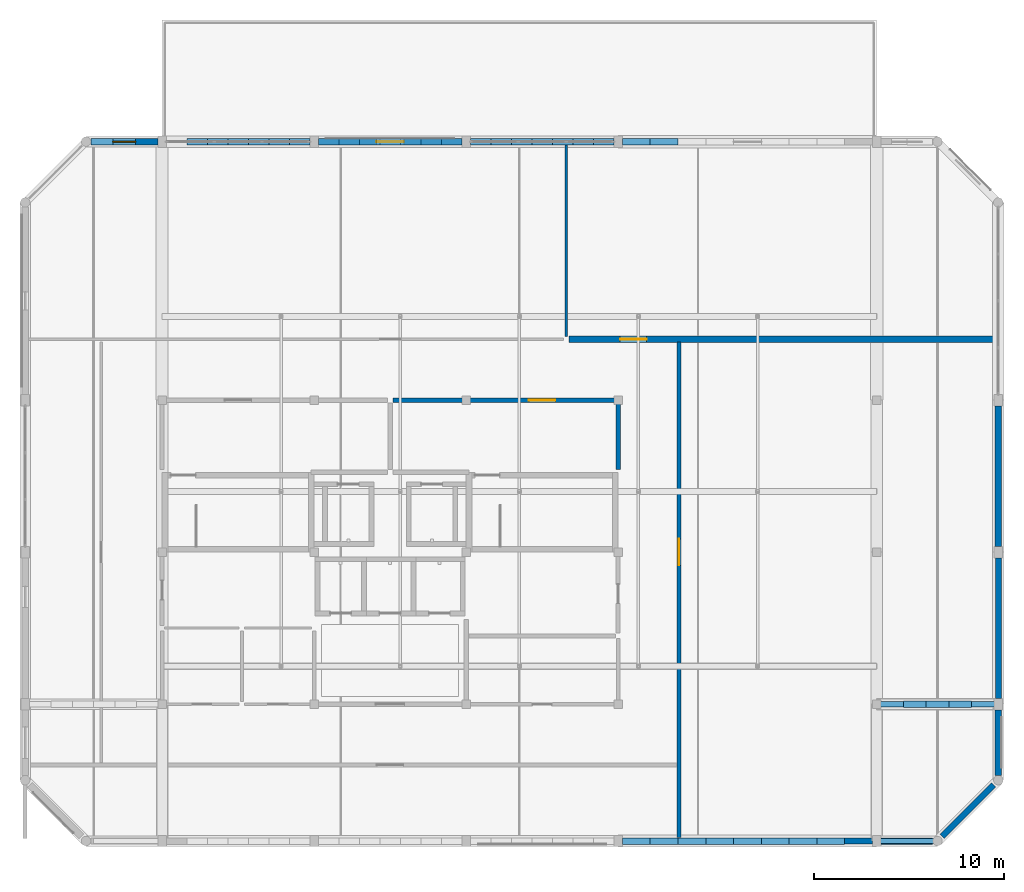
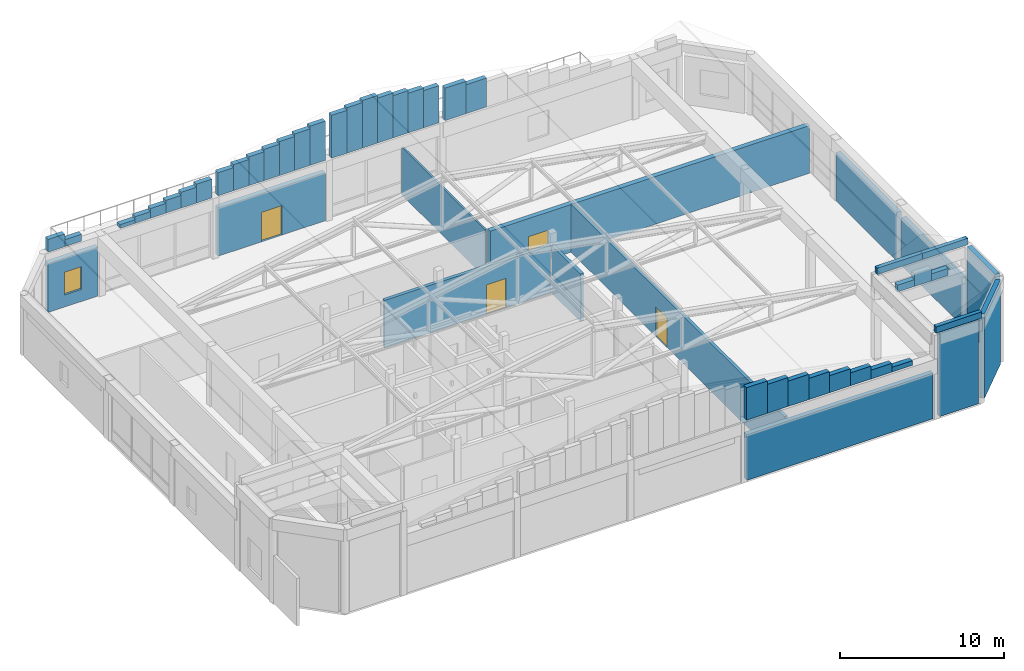
# One storey, part 21 of 24: 51 walls, 4 doors, 1 window, 5 openings.
"""IFC4 building model written with IfcOpenShell, lengths in metres."""

from ifc_helpers import new_model, si_unit, direction, frame, frame_2d, origin, place, context, subcontext, project, spatial, rectangle, extrude, material, layer, layer_set, type_object, element, fill, save


model = new_model("IFC4")

# Units and contexts
model_context = context("Model", 3, precision=1e-05, world=origin(), true_north=direction((0.0, 1.0)))
body_context = subcontext(model_context, "Body", "Model", "MODEL_VIEW")
ifc_project = project(units=[si_unit("LENGTHUNIT", "METRE"), si_unit("AREAUNIT", "SQUARE_METRE"), si_unit("VOLUMEUNIT", "CUBIC_METRE"), si_unit("PLANEANGLEUNIT", "RADIAN"), si_unit("MASSUNIT", "GRAM", prefix="KILO")], contexts=[model_context])

# Site, building, storey
site_placement = place(None, origin())
site = spatial("IfcSite", under=ifc_project, at=site_placement, CompositionType="ELEMENT")
building_placement = place(site_placement, origin())
building = spatial("IfcBuilding", under=site, at=building_placement, Name="Vellmiral Cinema and Media Centre", CompositionType="ELEMENT")
storey_placement = place(building_placement, frame((0.0, 0.0, 66.60009765625)))
storey = spatial("IfcBuildingStorey", under=building, at=storey_placement, Name="L16", CompositionType="ELEMENT", Elevation=66.60009765625)

# Wall, opening, door
ifc_material_1 = material(Name="Calcium-Silicate Masonry Blockwork", Category="masonry")
ifc_layer_1 = layer(ifc_material_1, 0.1201171875, Name="Calcium-Silicate Masonry Blockwork", Category="masonry")
ifc_material_2 = material(Name="Mineral Wool Acoustic Insulation", Category="insulation")
ifc_layer_2 = layer(ifc_material_2, 0.090087890625, Name="Mineral Wool Acoustic Insulation", Category="insulation")
ifc_layer_3 = layer(ifc_material_1, 0.1201171875, Name="Calcium-Silicate Masonry Blockwork", Category="masonry")
ifc_layer_set_1 = layer_set([ifc_layer_1, ifc_layer_2, ifc_layer_3], Name="Calcium-Silicate Masonry Blockwork")
wall_type_1 = type_object("IfcWallType", Name="WL-AC-330", PredefinedType="SOLIDWALL", material=ifc_layer_set_1)
wall_1_placement = place(storey_placement, frame((145.39990234375, 98.39990234375, 0.0), z_axis=(0.0, 0.0, 1.0), x_axis=(1.0, 0.0, 0.0)))
wall_1 = element("IfcWall", 1, at=wall_1_placement, inside=storey, type_object=wall_type_1, Name="Crown Executive Screening Salon Wall S", PredefinedType="SOLIDWALL", context=body_context, shape_type="SweptSolid", body=[
    extrude(rectangle(XDim=22.510009765625, YDim=0.330078125, at=frame_2d((11.2548828125, 0.0))), origin(), (0.0, 0.0, 1.0), 3.5498046875),
])
opening_1_placement = place(wall_1_placement, frame((2.699951171875, 0.0, 0.0)))
opening_1 = element("IfcOpeningElement", 2, at=opening_1_placement, cuts=wall_1, Name="Opening D-AC4", PredefinedType="OPENING", context=body_context, shape_type="SweptSolid", body=[
    extrude(rectangle(XDim=1.39990234375, YDim=2.199951171875, at=frame_2d((0.699951171875, 1.10009765625))), frame((0.0, 0.177001953125, 0.0), z_axis=(0.0, -1.0, 0.0), x_axis=(1.0, 0.0, 0.0)), (0.0, 0.0, 1.0), 0.35400390625),
])
ifc_material_3 = material(Name="Acoustic Studio Door", Category="steel")
door_type_1 = type_object("IfcDoorType", Name="DR-AC-1400x2200", OperationType="NOTDEFINED", PredefinedType="DOOR", material=ifc_material_3)
door_1_placement = place(opening_1_placement, frame((1.39990234375, 0.0, 0.0), z_axis=(0.0, 0.0, 1.0), x_axis=(-1.0, 0.0, 0.0)))
door_1 = element("IfcDoor", 3, at=door_1_placement, inside=storey, type_object=door_type_1, Name="Crown Executive Screening Salon Door", OperationType="SINGLE_SWING_RIGHT", OverallHeight=2.199951171875, OverallWidth=1.39990234375, PredefinedType="DOOR", context=body_context, shape_type="SweptSolid", body=[
    extrude(rectangle(XDim=1.39990234375, YDim=2.199951171875, at=frame_2d((0.699951171875, 1.10009765625))), frame((0.0, 0.02490234375, 0.0), z_axis=(0.0, -1.0, 0.0), x_axis=(1.0, 0.0, 0.0)), (0.0, 0.0, 1.0), 0.050048828125),
])
fill(opening_1, door_1)

ifc_material_4 = material(Name="Concrete C40/50", Category="concrete")
ifc_layer_4 = layer(ifc_material_4, 0.2099609375, Name="Concrete C40/50")
ifc_layer_set_2 = layer_set([ifc_layer_4], Name="Concrete C40/50")
wall_type_2 = type_object("IfcWallType", Name="WL-COMP-210", PredefinedType="SOLIDWALL", material=ifc_layer_set_2)
wall_2_placement = place(storey_placement, frame((151.199951171875, 72.175048828125, 0.0), z_axis=(0.0, 0.0, 1.0), x_axis=(0.0, 1.0, 0.0)))
wall_2 = element("IfcWall", 4, at=wall_2_placement, inside=storey, type_object=wall_type_2, Name="Crown Chiller and Heat-Recovery Plant Room Wall W", PredefinedType="SOLIDWALL", context=body_context, shape_type="SweptSolid", body=[
    extrude(rectangle(XDim=26.0849609375, YDim=0.2099609375, at=frame_2d((13.04248046875, 0.0))), origin(), (0.0, 0.0, 1.0), 3.5498046875),
])
opening_2_placement = place(wall_2_placement, frame((14.324951171875, 0.0, 0.0)))
opening_2 = element("IfcOpeningElement", 5, at=opening_2_placement, cuts=wall_2, Name="Opening D-FD60B", PredefinedType="OPENING", context=body_context, shape_type="SweptSolid", body=[
    extrude(rectangle(XDim=1.39990234375, YDim=2.199951171875, at=frame_2d((0.699951171875, 1.10009765625))), frame((0.0, 0.116943359375, 0.0), z_axis=(0.0, -1.0, 0.0), x_axis=(1.0, 0.0, 0.0)), (0.0, 0.0, 1.0), 0.23388671875),
])
ifc_material_5 = material(Name="Steel Fire Door", Category="steel")
door_type_2 = type_object("IfcDoorType", Name="DR-FD60-1400x2200", OperationType="NOTDEFINED", PredefinedType="DOOR", material=ifc_material_5)
door_2_placement = place(opening_2_placement, frame((1.39990234375, 0.0, 0.0), z_axis=(0.0, 0.0, 1.0), x_axis=(-1.0, 0.0, 0.0)))
door_2 = element("IfcDoor", 6, at=door_2_placement, inside=storey, type_object=door_type_2, Name="Crown Chiller and Heat-Recovery Plant Room Door", OperationType="SINGLE_SWING_LEFT", OverallHeight=2.199951171875, OverallWidth=1.39990234375, PredefinedType="DOOR", context=body_context, shape_type="SweptSolid", body=[
    extrude(rectangle(XDim=1.39990234375, YDim=2.199951171875, at=frame_2d((0.699951171875, 1.10009765625))), frame((0.0, 0.02490234375, 0.0), z_axis=(0.0, -1.0, 0.0), x_axis=(1.0, 0.0, 0.0)), (0.0, 0.0, 1.0), 0.050048828125),
])
fill(opening_2, door_2)

# Walls
ifc_material_6 = material(Name="Polychrome Glazed Ceramic Cladding", Category="masonry")
ifc_layer_5 = layer(ifc_material_6, 0.320068359375, Name="Polychrome Glazed Ceramic Cladding")
ifc_layer_set_3 = layer_set([ifc_layer_5], Name="Polychrome Glazed Ceramic Cladding")
wall_type_3 = type_object("IfcWallType", Name="WL-EXT-BRICK-320", PredefinedType="SOLIDWALL", material=ifc_layer_set_3)
wall_3_placement = place(storey_placement, frame((148.22509765625, 72.0, 0.0), z_axis=(0.0, 0.0, 1.0), x_axis=(1.0, 0.0, 0.0)))
element("IfcWall", 7, at=wall_3_placement, inside=storey, type_object=wall_type_3, Name="Exterior Facade Wall L16-005", PredefinedType="SOLIDWALL", context=body_context, shape_type="SweptSolid", body=[
    extrude(rectangle(XDim=13.14990234375, YDim=0.320068359375, at=frame_2d((6.574951171875, 0.0))), origin(), (0.0, 0.0, 1.0), 3.39990234375),
])
wall_4_placement = place(storey_placement, frame((165.050048828125, 72.25, 0.0), z_axis=(0.0, 0.0, 1.0), x_axis=(0.707106781187, 0.707106781187, 0.0)))
element("IfcWall", 8, at=wall_4_placement, inside=storey, type_object=wall_type_3, Name="Exterior Facade Wall L16-007", PredefinedType="SOLIDWALL", context=body_context, shape_type="SweptSolid", body=[
    extrude(rectangle(XDim=3.818359375, YDim=0.320068359375, at=frame_2d((1.9091796875, 0.0))), origin(), (0.0, 0.0, 1.0), 6.27978515625),
])
wall_5_placement = place(storey_placement, frame((168.0, 79.5, 0.0), z_axis=(0.0, 0.0, 1.0), x_axis=(0.0, 1.0, 0.0)))
element("IfcWall", 9, at=wall_5_placement, inside=storey, type_object=wall_type_3, Name="Exterior Facade Wall L16-009", PredefinedType="SOLIDWALL", context=body_context, shape_type="SweptSolid", body=[
    extrude(rectangle(XDim=7.39990234375, YDim=0.320068359375, at=frame_2d((3.699951171875, 0.0))), origin(), (0.0, 0.0, 1.0), 3.599853515625),
])
ifc_material_7 = material(Name="Vosges Red Sandstone Masonry", Category="masonry")
ifc_layer_6 = layer(ifc_material_7, 0.340087890625, Name="Vosges Red Sandstone Masonry")
ifc_layer_set_4 = layer_set([ifc_layer_6], Name="Vosges Red Sandstone Masonry")
wall_type_4 = type_object("IfcWallType", Name="WL-EXT-SAND-340", PredefinedType="SOLIDWALL", material=ifc_layer_set_4)
wall_6_placement = place(storey_placement, frame((161.824951171875, 72.0, 0.0), z_axis=(0.0, 0.0, 1.0), x_axis=(1.0, 0.0, 0.0)))
element("IfcWall", 10, at=wall_6_placement, inside=storey, type_object=wall_type_4, Name="Exterior Facade Wall L16-006", PredefinedType="SOLIDWALL", context=body_context, shape_type="SweptSolid", body=[
    extrude(rectangle(XDim=2.72509765625, YDim=0.340087890625, at=frame_2d((1.362548828125, 0.0))), origin(), (0.0, 0.0, 1.0), 6.27978515625),
])
wall_7_placement = place(storey_placement, frame((168.0, 75.449951171875, 0.0), z_axis=(0.0, 0.0, 1.0), x_axis=(0.0, 1.0, 0.0)))
element("IfcWall", 11, at=wall_7_placement, inside=storey, type_object=wall_type_4, Name="Exterior Facade Wall L16-008", PredefinedType="SOLIDWALL", context=body_context, shape_type="SweptSolid", body=[
    extrude(rectangle(XDim=3.449951171875, YDim=0.340087890625, at=frame_2d((1.72509765625, 0.0))), origin(), (0.0, 0.0, 1.0), 6.27978515625),
])
wall_8_placement = place(storey_placement, frame((168.0, 87.5, 0.0), z_axis=(0.0, 0.0, 1.0), x_axis=(0.0, 1.0, 0.0)))
element("IfcWall", 12, at=wall_8_placement, inside=storey, type_object=wall_type_4, Name="Exterior Facade Wall L16-010", PredefinedType="SOLIDWALL", context=body_context, shape_type="SweptSolid", body=[
    extrude(rectangle(XDim=7.39990234375, YDim=0.340087890625, at=frame_2d((3.699951171875, 0.0))), origin(), (0.0, 0.0, 1.0), 3.599853515625),
])

# Wall, opening, door
wall_9_placement = place(storey_placement, frame((139.77490234375, 108.800048828125, 0.0), z_axis=(0.0, 0.0, 1.0), x_axis=(-1.0, 0.0, 0.0)))
wall_9 = element("IfcWall", 13, at=wall_9_placement, inside=storey, type_object=wall_type_4, Name="Exterior Facade Wall L16-016", PredefinedType="SOLIDWALL", context=body_context, shape_type="SweptSolid", body=[
    extrude(rectangle(XDim=7.5498046875, YDim=0.340087890625, at=frame_2d((3.77490234375, 0.0))), origin(), (0.0, 0.0, 1.0), 3.599853515625),
])
opening_3_placement = place(wall_9_placement, frame((3.050048828125, 0.0, 0.0)))
opening_3 = element("IfcOpeningElement", 14, at=opening_3_placement, cuts=wall_9, Name="Opening DE-05", PredefinedType="OPENING", context=body_context, shape_type="SweptSolid", body=[
    extrude(rectangle(XDim=1.449951171875, YDim=2.199951171875, at=frame_2d((0.72509765625, 1.10009765625))), frame((0.0, 0.18212890625, 0.0), z_axis=(0.0, -1.0, 0.0), x_axis=(1.0, 0.0, 0.0)), (0.0, 0.0, 1.0), 0.364013671875),
])
ifc_material_8 = material(Name="Thermally Broken Glazed Aluminium and Bronze Door", Category="aluminium")
door_type_3 = type_object("IfcDoorType", Name="DR-TER-1450x2200", OperationType="DOUBLE_DOOR_SINGLE_SWING", PredefinedType="DOOR", material=ifc_material_8)
door_3_placement = place(opening_3_placement, frame((1.449951171875, 0.0, 0.0), z_axis=(0.0, 0.0, 1.0), x_axis=(-1.0, 0.0, 0.0)))
door_3 = element("IfcDoor", 15, at=door_3_placement, inside=storey, type_object=door_type_3, Name="Crown Observatory Terrace Door", OperationType="DOUBLE_DOOR_SINGLE_SWING", OverallHeight=2.199951171875, OverallWidth=1.449951171875, PredefinedType="DOOR", context=body_context, shape_type="SweptSolid", body=[
    extrude(rectangle(XDim=1.449951171875, YDim=2.199951171875, at=frame_2d((0.72509765625, 1.10009765625))), frame((0.0, 0.02490234375, 0.0), z_axis=(0.0, -1.0, 0.0), x_axis=(1.0, 0.0, 0.0)), (0.0, 0.0, 1.0), 0.050048828125),
])
fill(opening_3, door_3)

# Wall, opening, window
wall_10_placement = place(storey_placement, frame((123.77490234375, 108.800048828125, 0.0), z_axis=(0.0, 0.0, 1.0), x_axis=(-1.0, 0.0, 0.0)))
wall_10 = element("IfcWall", 16, at=wall_10_placement, inside=storey, type_object=wall_type_4, Name="Exterior Facade Wall L16-018", PredefinedType="SOLIDWALL", context=body_context, shape_type="SweptSolid", body=[
    extrude(rectangle(XDim=3.52490234375, YDim=0.340087890625, at=frame_2d((1.762451171875, 0.0))), origin(), (0.0, 0.0, 1.0), 3.64990234375),
])
opening_4_placement = place(wall_10_placement, frame((1.16259765625, 0.0, 0.89990234375)))
opening_4 = element("IfcOpeningElement", 17, at=opening_4_placement, cuts=wall_10, Name="Opening WN-10", PredefinedType="OPENING", context=body_context, shape_type="SweptSolid", body=[
    extrude(rectangle(XDim=1.199951171875, YDim=1.699951171875, at=frame_2d((0.60009765625, 0.85009765625))), frame((0.0, 0.18212890625, 0.0), z_axis=(0.0, -1.0, 0.0), x_axis=(1.0, 0.0, 0.0)), (0.0, 0.0, 1.0), 0.364013671875),
])
ifc_material_9 = material(Name="Thermally Broken Aluminium Triple Glazing", Category="aluminium")
window_type = type_object("IfcWindowType", Name="WN-1200x1700", PartitioningType="SINGLE_PANEL", PredefinedType="WINDOW", material=ifc_material_9)
window_placement = place(opening_4_placement, origin())
window = element("IfcWindow", 18, at=window_placement, inside=storey, type_object=window_type, Name="Window L16-018", OverallHeight=1.699951171875, OverallWidth=1.199951171875, PartitioningType="SINGLE_PANEL", PredefinedType="WINDOW", context=body_context, shape_type="SweptSolid", body=[
    extrude(rectangle(XDim=1.199951171875, YDim=1.699951171875, at=frame_2d((0.60009765625, 0.85009765625))), frame((0.0, 0.030029296875, 0.0), z_axis=(0.0, -1.0, 0.0), x_axis=(1.0, 0.0, 0.0)), (0.0, 0.0, 1.0), 0.06005859375),
])
fill(opening_4, window)

# Walls
wall_11_placement = place(storey_placement, frame((148.22509765625, 72.0, 4.5), z_axis=(0.0, 0.0, 1.0), x_axis=(1.0, 0.0, 0.0)))
element("IfcWall", 19, at=wall_11_placement, inside=storey, type_object=wall_type_4, Name="Tower Crown Catalan Barrel Vault Gable End Wall S-21", PredefinedType="SOLIDWALL", context=body_context, shape_type="SweptSolid", body=[
    extrude(rectangle(XDim=1.4609375, YDim=0.340087890625, at=frame_2d((0.73046875, 0.0))), origin(), (0.0, 0.0, 1.0), 2.416015625),
])
wall_12_placement = place(storey_placement, frame((149.68603515625, 72.0, 4.5), z_axis=(0.0, 0.0, 1.0), x_axis=(1.0, 0.0, 0.0)))
element("IfcWall", 20, at=wall_12_placement, inside=storey, type_object=wall_type_4, Name="Tower Crown Catalan Barrel Vault Gable End Wall S-22", PredefinedType="SOLIDWALL", context=body_context, shape_type="SweptSolid", body=[
    extrude(rectangle(XDim=1.461181640625, YDim=0.340087890625, at=frame_2d((0.73046875, 0.0))), origin(), (0.0, 0.0, 1.0), 2.153076171875),
])
wall_13_placement = place(storey_placement, frame((151.147216796875, 72.0, 4.5), z_axis=(0.0, 0.0, 1.0), x_axis=(1.0, 0.0, 0.0)))
element("IfcWall", 21, at=wall_13_placement, inside=storey, type_object=wall_type_4, Name="Tower Crown Catalan Barrel Vault Gable End Wall S-23", PredefinedType="SOLIDWALL", context=body_context, shape_type="SweptSolid", body=[
    extrude(rectangle(XDim=1.461181640625, YDim=0.340087890625, at=frame_2d((0.73046875, 0.0))), origin(), (0.0, 0.0, 1.0), 1.87841796875),
])
wall_14_placement = place(storey_placement, frame((152.6083984375, 72.0, 4.5), z_axis=(0.0, 0.0, 1.0), x_axis=(1.0, 0.0, 0.0)))
element("IfcWall", 22, at=wall_14_placement, inside=storey, type_object=wall_type_4, Name="Tower Crown Catalan Barrel Vault Gable End Wall S-24", PredefinedType="SOLIDWALL", context=body_context, shape_type="SweptSolid", body=[
    extrude(rectangle(XDim=1.4609375, YDim=0.340087890625, at=frame_2d((0.73046875, 0.0))), origin(), (0.0, 0.0, 1.0), 1.572998046875),
])
wall_15_placement = place(storey_placement, frame((154.0693359375, 72.0, 4.5), z_axis=(0.0, 0.0, 1.0), x_axis=(1.0, 0.0, 0.0)))
element("IfcWall", 23, at=wall_15_placement, inside=storey, type_object=wall_type_4, Name="Tower Crown Catalan Barrel Vault Gable End Wall S-25", PredefinedType="SOLIDWALL", context=body_context, shape_type="SweptSolid", body=[
    extrude(rectangle(XDim=1.461181640625, YDim=0.340087890625, at=frame_2d((0.73046875, 0.0))), origin(), (0.0, 0.0, 1.0), 1.267822265625),
])
wall_16_placement = place(storey_placement, frame((155.530517578125, 72.0, 4.5), z_axis=(0.0, 0.0, 1.0), x_axis=(1.0, 0.0, 0.0)))
element("IfcWall", 24, at=wall_16_placement, inside=storey, type_object=wall_type_4, Name="Tower Crown Catalan Barrel Vault Gable End Wall S-26", PredefinedType="SOLIDWALL", context=body_context, shape_type="SweptSolid", body=[
    extrude(rectangle(XDim=1.461181640625, YDim=0.340087890625, at=frame_2d((0.73046875, 0.0))), origin(), (0.0, 0.0, 1.0), 0.962646484375),
])
wall_17_placement = place(storey_placement, frame((156.99169921875, 72.0, 4.5), z_axis=(0.0, 0.0, 1.0), x_axis=(1.0, 0.0, 0.0)))
element("IfcWall", 25, at=wall_17_placement, inside=storey, type_object=wall_type_4, Name="Tower Crown Catalan Barrel Vault Gable End Wall S-27", PredefinedType="SOLIDWALL", context=body_context, shape_type="SweptSolid", body=[
    extrude(rectangle(XDim=1.461181640625, YDim=0.340087890625, at=frame_2d((0.73046875, 0.0))), origin(), (0.0, 0.0, 1.0), 0.657470703125),
])
wall_18_placement = place(storey_placement, frame((158.452880859375, 72.0, 4.5), z_axis=(0.0, 0.0, 1.0), x_axis=(1.0, 0.0, 0.0)))
element("IfcWall", 26, at=wall_18_placement, inside=storey, type_object=wall_type_4, Name="Tower Crown Catalan Barrel Vault Gable End Wall S-28", PredefinedType="SOLIDWALL", context=body_context, shape_type="SweptSolid", body=[
    extrude(rectangle(XDim=1.4609375, YDim=0.340087890625, at=frame_2d((0.73046875, 0.0))), origin(), (0.0, 0.0, 1.0), 0.35205078125),
])
wall_19_placement = place(storey_placement, frame((125.3037109375, 108.800048828125, 4.5), z_axis=(0.0, 0.0, 1.0), x_axis=(1.0, 0.0, 0.0)))
element("IfcWall", 27, at=wall_19_placement, inside=storey, type_object=wall_type_4, Name="Tower Crown Catalan Barrel Vault Gable End Wall N-1", PredefinedType="SOLIDWALL", context=body_context, shape_type="SweptSolid", body=[
    extrude(rectangle(XDim=1.078369140625, YDim=0.340087890625, at=frame_2d((0.5390625, 0.0))), origin(), (0.0, 0.0, 1.0), 0.272216796875),
])
wall_20_placement = place(storey_placement, frame((126.382080078125, 108.800048828125, 4.5), z_axis=(0.0, 0.0, 1.0), x_axis=(1.0, 0.0, 0.0)))
element("IfcWall", 28, at=wall_20_placement, inside=storey, type_object=wall_type_4, Name="Tower Crown Catalan Barrel Vault Gable End Wall N-2", PredefinedType="SOLIDWALL", context=body_context, shape_type="SweptSolid", body=[
    extrude(rectangle(XDim=1.07861328125, YDim=0.340087890625, at=frame_2d((0.539306640625, 0.0))), origin(), (0.0, 0.0, 1.0), 0.49755859375),
])
wall_21_placement = place(storey_placement, frame((127.460693359375, 108.800048828125, 4.5), z_axis=(0.0, 0.0, 1.0), x_axis=(1.0, 0.0, 0.0)))
element("IfcWall", 29, at=wall_21_placement, inside=storey, type_object=wall_type_4, Name="Tower Crown Catalan Barrel Vault Gable End Wall N-3", PredefinedType="SOLIDWALL", context=body_context, shape_type="SweptSolid", body=[
    extrude(rectangle(XDim=1.07861328125, YDim=0.340087890625, at=frame_2d((0.539306640625, 0.0))), origin(), (0.0, 0.0, 1.0), 0.722900390625),
])
wall_22_placement = place(storey_placement, frame((128.539306640625, 108.800048828125, 4.5), z_axis=(0.0, 0.0, 1.0), x_axis=(1.0, 0.0, 0.0)))
element("IfcWall", 30, at=wall_22_placement, inside=storey, type_object=wall_type_4, Name="Tower Crown Catalan Barrel Vault Gable End Wall N-4", PredefinedType="SOLIDWALL", context=body_context, shape_type="SweptSolid", body=[
    extrude(rectangle(XDim=1.07861328125, YDim=0.340087890625, at=frame_2d((0.539306640625, 0.0))), origin(), (0.0, 0.0, 1.0), 0.9482421875),
])
wall_23_placement = place(storey_placement, frame((129.617919921875, 108.800048828125, 4.5), z_axis=(0.0, 0.0, 1.0), x_axis=(1.0, 0.0, 0.0)))
element("IfcWall", 31, at=wall_23_placement, inside=storey, type_object=wall_type_4, Name="Tower Crown Catalan Barrel Vault Gable End Wall N-5", PredefinedType="SOLIDWALL", context=body_context, shape_type="SweptSolid", body=[
    extrude(rectangle(XDim=1.078369140625, YDim=0.340087890625, at=frame_2d((0.5390625, 0.0))), origin(), (0.0, 0.0, 1.0), 1.173583984375),
])
wall_24_placement = place(storey_placement, frame((130.6962890625, 108.800048828125, 4.5), z_axis=(0.0, 0.0, 1.0), x_axis=(1.0, 0.0, 0.0)))
element("IfcWall", 32, at=wall_24_placement, inside=storey, type_object=wall_type_4, Name="Tower Crown Catalan Barrel Vault Gable End Wall N-6", PredefinedType="SOLIDWALL", context=body_context, shape_type="SweptSolid", body=[
    extrude(rectangle(XDim=1.07861328125, YDim=0.340087890625, at=frame_2d((0.539306640625, 0.0))), origin(), (0.0, 0.0, 1.0), 1.39892578125),
])
wall_25_placement = place(storey_placement, frame((132.22509765625, 108.800048828125, 4.5), z_axis=(0.0, 0.0, 1.0), x_axis=(1.0, 0.0, 0.0)))
element("IfcWall", 33, at=wall_25_placement, inside=storey, type_object=wall_type_4, Name="Tower Crown Catalan Barrel Vault Gable End Wall N-7", PredefinedType="SOLIDWALL", context=body_context, shape_type="SweptSolid", body=[
    extrude(rectangle(XDim=1.07861328125, YDim=0.340087890625, at=frame_2d((0.539306640625, 0.0))), origin(), (0.0, 0.0, 1.0), 1.71826171875),
])
wall_26_placement = place(storey_placement, frame((133.3037109375, 108.800048828125, 4.5), z_axis=(0.0, 0.0, 1.0), x_axis=(1.0, 0.0, 0.0)))
element("IfcWall", 34, at=wall_26_placement, inside=storey, type_object=wall_type_4, Name="Tower Crown Catalan Barrel Vault Gable End Wall N-8", PredefinedType="SOLIDWALL", context=body_context, shape_type="SweptSolid", body=[
    extrude(rectangle(XDim=1.078369140625, YDim=0.340087890625, at=frame_2d((0.5390625, 0.0))), origin(), (0.0, 0.0, 1.0), 1.943603515625),
])
wall_27_placement = place(storey_placement, frame((134.382080078125, 108.800048828125, 4.5), z_axis=(0.0, 0.0, 1.0), x_axis=(1.0, 0.0, 0.0)))
element("IfcWall", 35, at=wall_27_placement, inside=storey, type_object=wall_type_4, Name="Tower Crown Catalan Barrel Vault Gable End Wall N-9", PredefinedType="SOLIDWALL", context=body_context, shape_type="SweptSolid", body=[
    extrude(rectangle(XDim=1.07861328125, YDim=0.340087890625, at=frame_2d((0.539306640625, 0.0))), origin(), (0.0, 0.0, 1.0), 2.140380859375),
])
wall_28_placement = place(storey_placement, frame((135.460693359375, 108.800048828125, 4.5), z_axis=(0.0, 0.0, 1.0), x_axis=(1.0, 0.0, 0.0)))
element("IfcWall", 36, at=wall_28_placement, inside=storey, type_object=wall_type_4, Name="Tower Crown Catalan Barrel Vault Gable End Wall N-10", PredefinedType="SOLIDWALL", context=body_context, shape_type="SweptSolid", body=[
    extrude(rectangle(XDim=1.07861328125, YDim=0.340087890625, at=frame_2d((0.539306640625, 0.0))), origin(), (0.0, 0.0, 1.0), 2.33447265625),
])
wall_29_placement = place(storey_placement, frame((136.539306640625, 108.800048828125, 4.5), z_axis=(0.0, 0.0, 1.0), x_axis=(1.0, 0.0, 0.0)))
element("IfcWall", 37, at=wall_29_placement, inside=storey, type_object=wall_type_4, Name="Tower Crown Catalan Barrel Vault Gable End Wall N-11", PredefinedType="SOLIDWALL", context=body_context, shape_type="SweptSolid", body=[
    extrude(rectangle(XDim=1.07861328125, YDim=0.340087890625, at=frame_2d((0.539306640625, 0.0))), origin(), (0.0, 0.0, 1.0), 2.528564453125),
])
wall_30_placement = place(storey_placement, frame((137.617919921875, 108.800048828125, 4.5), z_axis=(0.0, 0.0, 1.0), x_axis=(1.0, 0.0, 0.0)))
element("IfcWall", 38, at=wall_30_placement, inside=storey, type_object=wall_type_4, Name="Tower Crown Catalan Barrel Vault Gable End Wall N-12", PredefinedType="SOLIDWALL", context=body_context, shape_type="SweptSolid", body=[
    extrude(rectangle(XDim=1.078369140625, YDim=0.340087890625, at=frame_2d((0.5390625, 0.0))), origin(), (0.0, 0.0, 1.0), 2.72265625),
])
wall_31_placement = place(storey_placement, frame((138.6962890625, 108.800048828125, 4.5), z_axis=(0.0, 0.0, 1.0), x_axis=(1.0, 0.0, 0.0)))
element("IfcWall", 39, at=wall_31_placement, inside=storey, type_object=wall_type_4, Name="Tower Crown Catalan Barrel Vault Gable End Wall N-13", PredefinedType="SOLIDWALL", context=body_context, shape_type="SweptSolid", body=[
    extrude(rectangle(XDim=1.07861328125, YDim=0.340087890625, at=frame_2d((0.539306640625, 0.0))), origin(), (0.0, 0.0, 1.0), 2.91650390625),
])
wall_32_placement = place(storey_placement, frame((140.22509765625, 108.800048828125, 4.5), z_axis=(0.0, 0.0, 1.0), x_axis=(1.0, 0.0, 0.0)))
element("IfcWall", 40, at=wall_32_placement, inside=storey, type_object=wall_type_4, Name="Tower Crown Catalan Barrel Vault Gable End Wall N-14", PredefinedType="SOLIDWALL", context=body_context, shape_type="SweptSolid", body=[
    extrude(rectangle(XDim=1.07861328125, YDim=0.340087890625, at=frame_2d((0.539306640625, 0.0))), origin(), (0.0, 0.0, 1.0), 3.191650390625),
])
wall_33_placement = place(storey_placement, frame((141.3037109375, 108.800048828125, 4.5), z_axis=(0.0, 0.0, 1.0), x_axis=(1.0, 0.0, 0.0)))
element("IfcWall", 41, at=wall_33_placement, inside=storey, type_object=wall_type_4, Name="Tower Crown Catalan Barrel Vault Gable End Wall N-15", PredefinedType="SOLIDWALL", context=body_context, shape_type="SweptSolid", body=[
    extrude(rectangle(XDim=1.078369140625, YDim=0.340087890625, at=frame_2d((0.5390625, 0.0))), origin(), (0.0, 0.0, 1.0), 3.3857421875),
])
wall_34_placement = place(storey_placement, frame((142.382080078125, 108.800048828125, 4.5), z_axis=(0.0, 0.0, 1.0), x_axis=(1.0, 0.0, 0.0)))
element("IfcWall", 42, at=wall_34_placement, inside=storey, type_object=wall_type_4, Name="Tower Crown Catalan Barrel Vault Gable End Wall N-16", PredefinedType="SOLIDWALL", context=body_context, shape_type="SweptSolid", body=[
    extrude(rectangle(XDim=1.07861328125, YDim=0.340087890625, at=frame_2d((0.539306640625, 0.0))), origin(), (0.0, 0.0, 1.0), 3.5361328125),
])
wall_35_placement = place(storey_placement, frame((143.460693359375, 108.800048828125, 4.5), z_axis=(0.0, 0.0, 1.0), x_axis=(1.0, 0.0, 0.0)))
element("IfcWall", 43, at=wall_35_placement, inside=storey, type_object=wall_type_4, Name="Tower Crown Catalan Barrel Vault Gable End Wall N-17", PredefinedType="SOLIDWALL", context=body_context, shape_type="SweptSolid", body=[
    extrude(rectangle(XDim=1.07861328125, YDim=0.340087890625, at=frame_2d((0.539306640625, 0.0))), origin(), (0.0, 0.0, 1.0), 3.342041015625),
])
wall_36_placement = place(storey_placement, frame((144.539306640625, 108.800048828125, 4.5), z_axis=(0.0, 0.0, 1.0), x_axis=(1.0, 0.0, 0.0)))
element("IfcWall", 44, at=wall_36_placement, inside=storey, type_object=wall_type_4, Name="Tower Crown Catalan Barrel Vault Gable End Wall N-18", PredefinedType="SOLIDWALL", context=body_context, shape_type="SweptSolid", body=[
    extrude(rectangle(XDim=1.07861328125, YDim=0.340087890625, at=frame_2d((0.539306640625, 0.0))), origin(), (0.0, 0.0, 1.0), 3.14794921875),
])
wall_37_placement = place(storey_placement, frame((145.617919921875, 108.800048828125, 4.5), z_axis=(0.0, 0.0, 1.0), x_axis=(1.0, 0.0, 0.0)))
element("IfcWall", 45, at=wall_37_placement, inside=storey, type_object=wall_type_4, Name="Tower Crown Catalan Barrel Vault Gable End Wall N-19", PredefinedType="SOLIDWALL", context=body_context, shape_type="SweptSolid", body=[
    extrude(rectangle(XDim=1.078369140625, YDim=0.340087890625, at=frame_2d((0.5390625, 0.0))), origin(), (0.0, 0.0, 1.0), 2.953857421875),
])
wall_38_placement = place(storey_placement, frame((146.6962890625, 108.800048828125, 4.5), z_axis=(0.0, 0.0, 1.0), x_axis=(1.0, 0.0, 0.0)))
element("IfcWall", 46, at=wall_38_placement, inside=storey, type_object=wall_type_4, Name="Tower Crown Catalan Barrel Vault Gable End Wall N-20", PredefinedType="SOLIDWALL", context=body_context, shape_type="SweptSolid", body=[
    extrude(rectangle(XDim=1.07861328125, YDim=0.340087890625, at=frame_2d((0.539306640625, 0.0))), origin(), (0.0, 0.0, 1.0), 2.759765625),
])
wall_39_placement = place(storey_placement, frame((148.22509765625, 108.800048828125, 4.5), z_axis=(0.0, 0.0, 1.0), x_axis=(1.0, 0.0, 0.0)))
element("IfcWall", 47, at=wall_39_placement, inside=storey, type_object=wall_type_4, Name="Tower Crown Catalan Barrel Vault Gable End Wall N-21", PredefinedType="SOLIDWALL", context=body_context, shape_type="SweptSolid", body=[
    extrude(rectangle(XDim=1.4609375, YDim=0.340087890625, at=frame_2d((0.73046875, 0.0))), origin(), (0.0, 0.0, 1.0), 2.416015625),
])
wall_40_placement = place(storey_placement, frame((149.68603515625, 108.800048828125, 4.5), z_axis=(0.0, 0.0, 1.0), x_axis=(1.0, 0.0, 0.0)))
element("IfcWall", 48, at=wall_40_placement, inside=storey, type_object=wall_type_4, Name="Tower Crown Catalan Barrel Vault Gable End Wall N-22", PredefinedType="SOLIDWALL", context=body_context, shape_type="SweptSolid", body=[
    extrude(rectangle(XDim=1.461181640625, YDim=0.340087890625, at=frame_2d((0.73046875, 0.0))), origin(), (0.0, 0.0, 1.0), 2.153076171875),
])
wall_41_placement = place(storey_placement, frame((120.25, 108.800048828125, 4.5), z_axis=(0.0, 0.0, 1.0), x_axis=(1.0, 0.0, 0.0)))
element("IfcWall", 49, at=wall_41_placement, inside=storey, type_object=wall_type_4, Name="Tower Crown West Gallery Vault Gable End Wall N-1", PredefinedType="SOLIDWALL", context=body_context, shape_type="SweptSolid", body=[
    extrude(rectangle(XDim=1.175048828125, YDim=0.340087890625, at=frame_2d((0.58740234375, 0.0))), origin(), (0.0, 0.0, 1.0), 0.93701171875),
])
wall_42_placement = place(storey_placement, frame((121.425048828125, 108.800048828125, 4.5), z_axis=(0.0, 0.0, 1.0), x_axis=(1.0, 0.0, 0.0)))
element("IfcWall", 50, at=wall_42_placement, inside=storey, type_object=wall_type_4, Name="Tower Crown West Gallery Vault Gable End Wall N-2", PredefinedType="SOLIDWALL", context=body_context, shape_type="SweptSolid", body=[
    extrude(rectangle(XDim=1.175048828125, YDim=0.340087890625, at=frame_2d((0.58740234375, 0.0))), origin(), (0.0, 0.0, 1.0), 0.509521484375),
])
wall_43_placement = place(storey_placement, frame((163.014892578125, 79.199951171875, 4.5), z_axis=(0.0, 0.0, 1.0), x_axis=(1.0, 0.0, 0.0)))
element("IfcWall", 51, at=wall_43_placement, inside=storey, type_object=wall_type_4, Name="Tower Crown East Gallery Vault Gable End Wall S-1", PredefinedType="SOLIDWALL", context=body_context, shape_type="SweptSolid", body=[
    extrude(rectangle(XDim=1.190185546875, YDim=0.340087890625, at=frame_2d((0.59521484375, 0.0))), origin(), (0.0, 0.0, 1.0), 0.514892578125),
])
wall_44_placement = place(storey_placement, frame((164.205078125, 79.199951171875, 4.5), z_axis=(0.0, 0.0, 1.0), x_axis=(1.0, 0.0, 0.0)))
element("IfcWall", 52, at=wall_44_placement, inside=storey, type_object=wall_type_4, Name="Tower Crown East Gallery Vault Gable End Wall S-2", PredefinedType="SOLIDWALL", context=body_context, shape_type="SweptSolid", body=[
    extrude(rectangle(XDim=1.18994140625, YDim=0.340087890625, at=frame_2d((0.594970703125, 0.0))), origin(), (0.0, 0.0, 1.0), 0.929931640625),
])
wall_45_placement = place(storey_placement, frame((165.39501953125, 79.199951171875, 4.5), z_axis=(0.0, 0.0, 1.0), x_axis=(1.0, 0.0, 0.0)))
element("IfcWall", 53, at=wall_45_placement, inside=storey, type_object=wall_type_4, Name="Tower Crown East Gallery Vault Gable End Wall S-3", PredefinedType="SOLIDWALL", context=body_context, shape_type="SweptSolid", body=[
    extrude(rectangle(XDim=1.18994140625, YDim=0.340087890625, at=frame_2d((0.594970703125, 0.0))), origin(), (0.0, 0.0, 1.0), 0.514892578125),
])

# Wall, opening, door
ifc_material_10 = material(Name="Concrete C40/50", Category="concrete")
ifc_layer_7 = layer(ifc_material_10, 0.22998046875, Name="Concrete C40/50")
ifc_layer_set_5 = layer_set([ifc_layer_7], Name="Concrete C40/50")
wall_type_5 = type_object("IfcWallType", Name="WL-FFL-230", PredefinedType="SOLIDWALL", material=ifc_layer_set_5)
wall_46_placement = place(storey_placement, frame((136.139892578125, 95.199951171875, 0.0), z_axis=(0.0, 0.0, 1.0), x_axis=(1.0, 0.0, 0.0)))
wall_46 = element("IfcWall", 54, at=wall_46_placement, inside=storey, type_object=wall_type_5, Name="Firefighting Lobby East Wall N", PredefinedType="SOLIDWALL", context=body_context, shape_type="SweptSolid", body=[
    extrude(rectangle(XDim=11.72021484375, YDim=0.22998046875, at=frame_2d((5.860107421875, 0.0))), origin(), (0.0, 0.0, 1.0), 3.5498046875),
])
opening_5_placement = place(wall_46_placement, frame((7.159912109375, 0.0, 0.0)))
opening_5 = element("IfcOpeningElement", 55, at=opening_5_placement, cuts=wall_46, Name="Opening D-FD60B", PredefinedType="OPENING", context=body_context, shape_type="SweptSolid", body=[
    extrude(rectangle(XDim=1.39990234375, YDim=2.199951171875, at=frame_2d((0.699951171875, 1.10009765625))), frame((0.0, 0.126953125, 0.0), z_axis=(0.0, -1.0, 0.0), x_axis=(1.0, 0.0, 0.0)), (0.0, 0.0, 1.0), 0.25390625),
])
door_4_placement = place(opening_5_placement, frame((1.39990234375, 0.0, 0.0), z_axis=(0.0, 0.0, 1.0), x_axis=(-1.0, 0.0, 0.0)))
door_4 = element("IfcDoor", 56, at=door_4_placement, inside=storey, type_object=door_type_2, Name="Firefighting Lobby East Door", OperationType="SINGLE_SWING_LEFT", OverallHeight=2.199951171875, OverallWidth=1.39990234375, PredefinedType="DOOR", context=body_context, shape_type="SweptSolid", body=[
    extrude(rectangle(XDim=1.39990234375, YDim=2.199951171875, at=frame_2d((0.699951171875, 1.10009765625))), frame((0.0, 0.02490234375, 0.0), z_axis=(0.0, -1.0, 0.0), x_axis=(1.0, 0.0, 0.0)), (0.0, 0.0, 1.0), 0.050048828125),
])
fill(opening_5, door_4)

# Walls
wall_47_placement = place(storey_placement, frame((148.0, 91.5400390625, 0.0), z_axis=(0.0, 0.0, 1.0), x_axis=(0.0, 1.0, 0.0)))
element("IfcWall", 57, at=wall_47_placement, inside=storey, type_object=wall_type_5, Name="Firefighting Lobby East Wall E", PredefinedType="SOLIDWALL", context=body_context, shape_type="SweptSolid", body=[
    extrude(rectangle(XDim=3.52001953125, YDim=0.22998046875, at=frame_2d((1.760009765625, 0.0))), origin(), (0.0, 0.0, 1.0), 3.5498046875),
])
ifc_material_11 = material(Name="Gypsum Plasterboard")
ifc_layer_8 = layer(ifc_material_11, 0.02490234375, Name="Gypsum Plasterboard", Category="gypsum")
ifc_material_12 = material(Name="Mineral Wool Acoustic Insulation", Category="insulation")
ifc_layer_9 = layer(ifc_material_12, 0.080078125, Name="Mineral Wool Acoustic Insulation", Category="insulation")
ifc_layer_10 = layer(ifc_material_11, 0.02490234375, Name="Gypsum Plasterboard", Category="gypsum")
ifc_layer_set_6 = layer_set([ifc_layer_8, ifc_layer_9, ifc_layer_10], Name="Gypsum Plasterboard")
wall_type_6 = type_object("IfcWallType", Name="WL-PART-130", PredefinedType="PARTITIONING", material=ifc_layer_set_6)
wall_48_placement = place(storey_placement, frame((145.260009765625, 98.5400390625, 0.0), z_axis=(0.0, 0.0, 1.0), x_axis=(0.0, 1.0, 0.0)))
element("IfcWall", 58, at=wall_48_placement, inside=storey, type_object=wall_type_6, Name="Crown Broadcast Observatory Lounge Wall E", PredefinedType="PARTITIONING", context=body_context, shape_type="SweptSolid", body=[
    extrude(rectangle(XDim=10.169921875, YDim=0.1298828125, at=frame_2d((5.0849609375, 0.0))), origin(), (0.0, 0.0, 1.0), 3.5498046875),
])
ifc_material_13 = material(Name="Vosges Red Sandstone Masonry", Category="masonry")
ifc_layer_11 = layer(ifc_material_13, 0.280029296875, Name="Vosges Red Sandstone Masonry")
ifc_layer_set_7 = layer_set([ifc_layer_11], Name="Vosges Red Sandstone Masonry")
wall_type_7 = type_object("IfcWallType", Name="WL-TURRET-280", PredefinedType="SOLIDWALL", material=ifc_layer_set_7)
for number, where, z_axis, x_axis, name in (
    (59, (161.60009765625, 72.0, 6.27978515625), (0.0, 0.0, 1.0), (1.0, 0.0, 0.0), "Torratxa Turret Gable SE-S1"),
    (60, (161.60009765625, 79.199951171875, 6.27978515625), (0.0, 0.0, 1.0), (1.0, 0.0, 0.0), "Torratxa Turret Gable SE-N1"),
    (61, (164.800048828125, 79.199951171875, 6.27978515625), (0.0, 0.0, 1.0), (1.0, 0.0, 0.0), "Torratxa Turret Gable SE-N2"),
):
    element("IfcWall", number, at=place(storey_placement, frame(where, z_axis=z_axis, x_axis=x_axis)), inside=storey, type_object=wall_type_7, Name=name, PredefinedType="SOLIDWALL", context=body_context, shape_type="SweptSolid", body=[
        extrude(rectangle(XDim=3.199951171875, YDim=0.280029296875, at=frame_2d((1.60009765625, 0.0))), origin(), (0.0, 0.0, 1.0), 0.463134765625),
    ])

save(model, "model.ifc")
